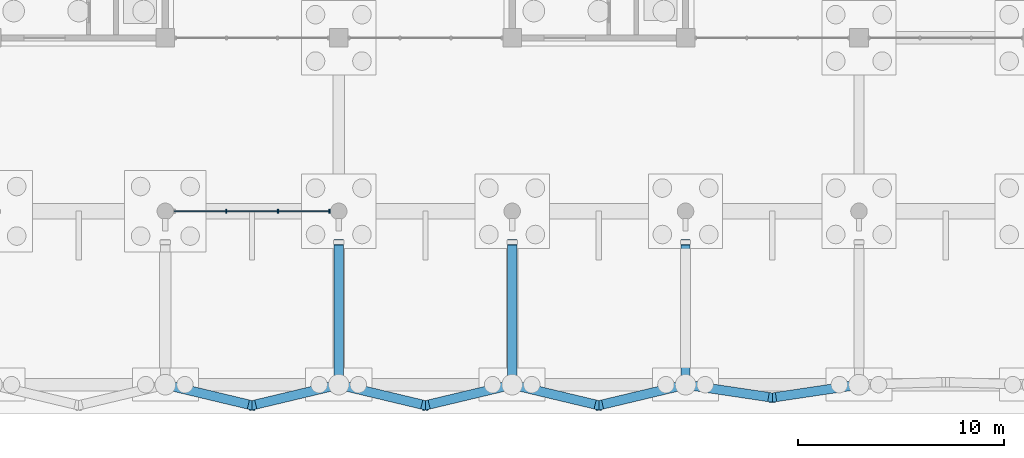
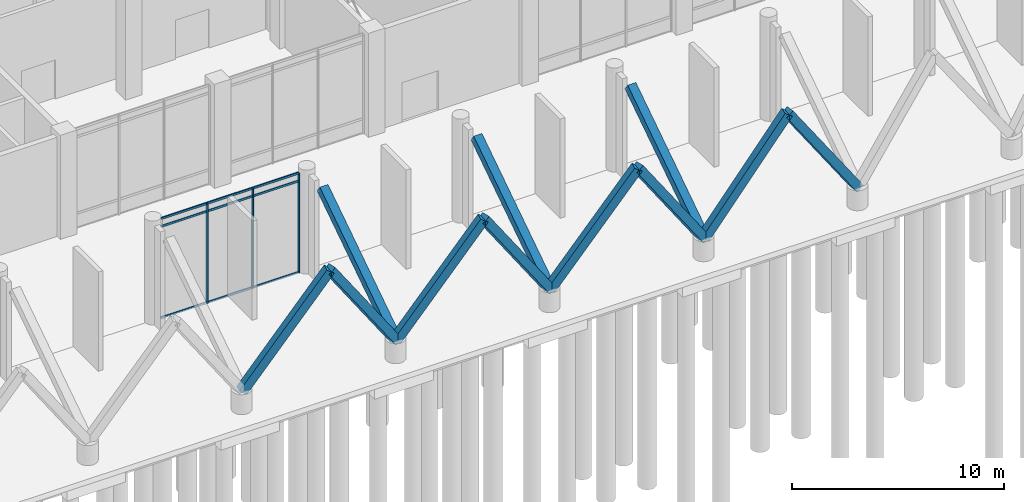
# One storey, part 27 of 72: 23 members, 1 element without a shape of its own.
"""IFC4 building model written with IfcOpenShell, lengths in metres."""

from ifc_helpers import new_model, si_unit, direction, frame, origin, origin_2d, place, context, subcontext, project, spatial, rectangle, extrude, material, layer, layer_set, material_profile, profile_set, type_object, element, aggregate, save


model = new_model("IFC4")

# Units and contexts
model_context = context("Model", 3, precision=1e-05, world=origin(), true_north=direction((0.0, 1.0)))
body_context = subcontext(model_context, "Body", "Model", "MODEL_VIEW")
ifc_project = project(units=[si_unit("LENGTHUNIT", "METRE"), si_unit("AREAUNIT", "SQUARE_METRE"), si_unit("VOLUMEUNIT", "CUBIC_METRE"), si_unit("PLANEANGLEUNIT", "RADIAN"), si_unit("MASSUNIT", "GRAM", prefix="KILO")], contexts=[model_context])

# Site, building, storey
site_placement = place(None, origin())
site = spatial("IfcSite", under=ifc_project, at=site_placement, CompositionType="ELEMENT")
building_placement = place(site_placement, origin())
building = spatial("IfcBuilding", under=site, at=building_placement, Name="Qawsi Khor Wholesale Market", CompositionType="ELEMENT")
storey_placement = place(building_placement, origin())
storey = spatial("IfcBuildingStorey", under=building, at=storey_placement, Name="L00", CompositionType="ELEMENT", Elevation=0.0)

# Curtain wall, members
ifc_material_1 = material(Name="Aluminium Anodised Bronze", Category="aluminium")
ifc_layer = layer(ifc_material_1, 0.159912109375, Name="Aluminium Anodised Bronze")
ifc_layer_set = layer_set([ifc_layer], Name="Aluminium Anodised Bronze")
curtain_wall_type = type_object("IfcCurtainWallType", Name="Boulevard Arcade Glazed Curtain Wall CW-01", PredefinedType="NOTDEFINED", material=ifc_layer_set)
curtain_wall_placement = place(storey_placement, origin())
curtain_wall = element("IfcCurtainWall", 1, at=curtain_wall_placement, inside=storey, type_object=curtain_wall_type, Name="Curtain wall CW-CW-01-L00-162", PredefinedType="NOTDEFINED")
ifc_material_profile_1 = material_profile(ifc_material_1, rectangle(XDim=0.06494140625, YDim=0.179931640625, at=origin_2d()), Name="ALU MULLION 65x180")
ifc_profile_set_1 = profile_set([ifc_material_profile_1], Name="Aluminium Anodised Bronze")
member_type_1 = type_object("IfcMemberType", Name="Curtain Wall Mullion CW-01 ALU MULLION 65x180", PredefinedType="MULLION", material=ifc_profile_set_1)
member_1_placement = place(storey_placement, frame((128.947509765625, 0.0, -0.02001953125), z_axis=(0.0, 0.0, 1.0), x_axis=(1.0, 0.0, 0.0)))
member_1 = element("IfcMember", 2, at=member_1_placement, type_object=member_type_1, Name="Mullion CW-CW-01-L00-162-M01", PredefinedType="MULLION", context=body_context, shape_type="SweptSolid", body=[
    extrude(rectangle(XDim=0.06494140625, YDim=0.179931640625, at=origin_2d()), origin(), (0.0, 0.0, 1.0), 5.739990234375),
])
member_2_placement = place(storey_placement, frame((131.452392578125, 0.0, -0.02001953125), z_axis=(0.0, 0.0, 1.0), x_axis=(1.0, 0.0, 0.0)))
member_2 = element("IfcMember", 3, at=member_2_placement, type_object=member_type_1, Name="Mullion CW-CW-01-L00-162-M02", PredefinedType="MULLION", context=body_context, shape_type="SweptSolid", body=[
    extrude(rectangle(XDim=0.06494140625, YDim=0.179931640625, at=origin_2d()), origin(), (0.0, 0.0, 1.0), 5.739990234375),
])
member_3_placement = place(storey_placement, frame((133.95751953125, 0.0, -0.02001953125), z_axis=(0.0, 0.0, 1.0), x_axis=(1.0, 0.0, 0.0)))
member_3 = element("IfcMember", 4, at=member_3_placement, type_object=member_type_1, Name="Mullion CW-CW-01-L00-162-M03", PredefinedType="MULLION", context=body_context, shape_type="SweptSolid", body=[
    extrude(rectangle(XDim=0.06494140625, YDim=0.179931640625, at=origin_2d()), origin(), (0.0, 0.0, 1.0), 5.739990234375),
])
ifc_material_profile_2 = material_profile(ifc_material_1, rectangle(XDim=0.06005859375, YDim=0.1201171875, at=origin_2d()), Name="ALU TRANSOM 60x120")
ifc_profile_set_2 = profile_set([ifc_material_profile_2], Name="Aluminium Anodised Bronze")
member_type_2 = type_object("IfcMemberType", Name="Curtain Wall Transom CW-01 ALU TRANSOM 60x120", PredefinedType="USERDEFINED", material=ifc_profile_set_2)
member_4_placement = place(storey_placement, frame((126.4423828125, 0.0, 0.0), z_axis=(1.0, 0.0, 0.0), x_axis=(0.0, 1.0, 0.0)))
member_4 = element("IfcMember", 5, at=member_4_placement, type_object=member_type_2, Name="Transom CW-CW-01-L00-162-T0_00", ObjectType="TRANSOM", PredefinedType="USERDEFINED", context=body_context, shape_type="SweptSolid", body=[
    extrude(rectangle(XDim=0.06005859375, YDim=0.1201171875, at=origin_2d()), origin(), (0.0, 0.0, 1.0), 2.505126953125),
])
member_5_placement = place(storey_placement, frame((128.947509765625, 0.0, 0.0), z_axis=(1.0, 0.0, 0.0), x_axis=(0.0, 1.0, 0.0)))
member_5 = element("IfcMember", 6, at=member_5_placement, type_object=member_type_2, Name="Transom CW-CW-01-L00-162-T0_01", ObjectType="TRANSOM", PredefinedType="USERDEFINED", context=body_context, shape_type="SweptSolid", body=[
    extrude(rectangle(XDim=0.06005859375, YDim=0.1201171875, at=origin_2d()), origin(), (0.0, 0.0, 1.0), 2.5048828125),
])
member_6_placement = place(storey_placement, frame((131.452392578125, 0.0, 0.0), z_axis=(1.0, 0.0, 0.0), x_axis=(0.0, 1.0, 0.0)))
member_6 = element("IfcMember", 7, at=member_6_placement, type_object=member_type_2, Name="Transom CW-CW-01-L00-162-T0_02", ObjectType="TRANSOM", PredefinedType="USERDEFINED", context=body_context, shape_type="SweptSolid", body=[
    extrude(rectangle(XDim=0.06005859375, YDim=0.1201171875, at=origin_2d()), origin(), (0.0, 0.0, 1.0), 2.505126953125),
])
member_7_placement = place(storey_placement, frame((126.4423828125, 0.0, 5.27001953125), z_axis=(1.0, 0.0, 0.0), x_axis=(0.0, 1.0, 0.0)))
member_7 = element("IfcMember", 8, at=member_7_placement, type_object=member_type_2, Name="Transom CW-CW-01-L00-162-T1_00", ObjectType="TRANSOM", PredefinedType="USERDEFINED", context=body_context, shape_type="SweptSolid", body=[
    extrude(rectangle(XDim=0.06005859375, YDim=0.1201171875, at=origin_2d()), origin(), (0.0, 0.0, 1.0), 2.505126953125),
])
member_8_placement = place(storey_placement, frame((128.947509765625, 0.0, 5.27001953125), z_axis=(1.0, 0.0, 0.0), x_axis=(0.0, 1.0, 0.0)))
member_8 = element("IfcMember", 9, at=member_8_placement, type_object=member_type_2, Name="Transom CW-CW-01-L00-162-T1_01", ObjectType="TRANSOM", PredefinedType="USERDEFINED", context=body_context, shape_type="SweptSolid", body=[
    extrude(rectangle(XDim=0.06005859375, YDim=0.1201171875, at=origin_2d()), origin(), (0.0, 0.0, 1.0), 2.5048828125),
])
member_9_placement = place(storey_placement, frame((131.452392578125, 0.0, 5.27001953125), z_axis=(1.0, 0.0, 0.0), x_axis=(0.0, 1.0, 0.0)))
member_9 = element("IfcMember", 10, at=member_9_placement, type_object=member_type_2, Name="Transom CW-CW-01-L00-162-T1_02", ObjectType="TRANSOM", PredefinedType="USERDEFINED", context=body_context, shape_type="SweptSolid", body=[
    extrude(rectangle(XDim=0.06005859375, YDim=0.1201171875, at=origin_2d()), origin(), (0.0, 0.0, 1.0), 2.505126953125),
])
member_10_placement = place(storey_placement, frame((126.4423828125, 0.0, 5.719970703125), z_axis=(1.0, 0.0, 0.0), x_axis=(0.0, 1.0, 0.0)))
member_10 = element("IfcMember", 11, at=member_10_placement, type_object=member_type_2, Name="Transom CW-CW-01-L00-162-T2_00", ObjectType="TRANSOM", PredefinedType="USERDEFINED", context=body_context, shape_type="SweptSolid", body=[
    extrude(rectangle(XDim=0.06005859375, YDim=0.1201171875, at=origin_2d()), origin(), (0.0, 0.0, 1.0), 2.505126953125),
])
member_11_placement = place(storey_placement, frame((128.947509765625, 0.0, 5.719970703125), z_axis=(1.0, 0.0, 0.0), x_axis=(0.0, 1.0, 0.0)))
member_11 = element("IfcMember", 12, at=member_11_placement, type_object=member_type_2, Name="Transom CW-CW-01-L00-162-T2_01", ObjectType="TRANSOM", PredefinedType="USERDEFINED", context=body_context, shape_type="SweptSolid", body=[
    extrude(rectangle(XDim=0.06005859375, YDim=0.1201171875, at=origin_2d()), origin(), (0.0, 0.0, 1.0), 2.5048828125),
])
member_12_placement = place(storey_placement, frame((131.452392578125, 0.0, 5.719970703125), z_axis=(1.0, 0.0, 0.0), x_axis=(0.0, 1.0, 0.0)))
member_12 = element("IfcMember", 13, at=member_12_placement, type_object=member_type_2, Name="Transom CW-CW-01-L00-162-T2_02", ObjectType="TRANSOM", PredefinedType="USERDEFINED", context=body_context, shape_type="SweptSolid", body=[
    extrude(rectangle(XDim=0.06005859375, YDim=0.1201171875, at=origin_2d()), origin(), (0.0, 0.0, 1.0), 2.505126953125),
])
aggregate(curtain_wall, [member_1, member_2, member_3, member_4, member_5, member_6, member_7, member_8, member_9, member_10, member_11, member_12])

# Members
ifc_material_2 = material(Name="Concrete C40/50", Category="concrete")
ifc_material_profile_3 = material_profile(ifc_material_2, rectangle(XDim=0.449951171875, YDim=0.449951171875, at=origin_2d()), Name="RC 450x450")
ifc_profile_set_3 = profile_set([ifc_material_profile_3], Name="Concrete C40/50")
member_type_3 = type_object("IfcMemberType", Name="Sculpted Concrete V-Strut RC 450x450", PredefinedType="STRUT", material=ifc_profile_set_3)
for number, where, z_axis, x_axis, name in (
    (14, (126.0, -8.39990234375, 1.050048828125), (0.560167526357, -0.133374771142, 0.817571717245), (0.231623075633, 0.972805607937, 0.0), "Boulevard Raked Concrete V-Pier 15L"),
    (15, (134.39990234375, -8.39990234375, 1.050048828125), (-0.560167526357, -0.133374771142, 0.817571717245), (0.231623075633, -0.972805607937, 0.0), "Boulevard Raked Concrete V-Pier 15R"),
):
    element("IfcMember", number, at=place(storey_placement, frame(where, z_axis=z_axis, x_axis=x_axis)), inside=storey, type_object=member_type_3, Name=name, PredefinedType="STRUT", context=body_context, shape_type="SweptSolid", body=[
        extrude(rectangle(XDim=0.449951171875, YDim=0.449951171875, at=origin_2d()), origin(), (0.0, 0.0, 1.0), 7.49755859375),
    ])
member_13_placement = place(storey_placement, frame((134.39990234375, -8.39990234375, 1.050048828125), z_axis=(0.560189870329, -0.133372338344, 0.817556804476), x_axis=(0.231610334544, 0.972808641477, 0.0)))
element("IfcMember", 16, at=member_13_placement, inside=storey, type_object=member_type_3, Name="Boulevard Raked Concrete V-Pier 16L", PredefinedType="STRUT", context=body_context, shape_type="SweptSolid", body=[
    extrude(rectangle(XDim=0.449951171875, YDim=0.449951171875, at=origin_2d()), origin(), (0.0, 0.0, 1.0), 7.497802734375),
])
member_14_placement = place(storey_placement, frame((142.800048828125, -8.39990234375, 1.050048828125), z_axis=(-0.560167526357, -0.133374771142, 0.817571717245), x_axis=(0.231623075633, -0.972805607937, 0.0)))
element("IfcMember", 17, at=member_14_placement, inside=storey, type_object=member_type_3, Name="Boulevard Raked Concrete V-Pier 16R", PredefinedType="STRUT", context=body_context, shape_type="SweptSolid", body=[
    extrude(rectangle(XDim=0.449951171875, YDim=0.449951171875, at=origin_2d()), origin(), (0.0, 0.0, 1.0), 7.49755859375),
])
member_15_placement = place(storey_placement, frame((134.39990234375, -8.39990234375, 1.050048828125), z_axis=(0.0, 0.833712125107, 0.552199323115), x_axis=(-1.0, 0.0, 0.0)))
element("IfcMember", 18, at=member_15_placement, inside=storey, type_object=member_type_3, Name="Boulevard Raked Concrete Back-Strut 16", PredefinedType="STRUT", context=body_context, shape_type="SweptSolid", body=[
    extrude(rectangle(XDim=0.449951171875, YDim=0.449951171875, at=origin_2d()), origin(), (0.0, 0.0, 1.0), 8.276123046875),
])
for number, where, z_axis, x_axis, name in (
    (19, (142.800048828125, -8.39990234375, 1.050048828125), (0.560167526357, -0.133374771142, 0.817571717245), (0.231623075633, 0.972805607937, 0.0), "Boulevard Raked Concrete V-Pier 17L"),
    (20, (151.199951171875, -8.39990234375, 1.050048828125), (-0.560167526357, -0.133374771142, 0.817571717245), (0.231623075633, -0.972805607937, 0.0), "Boulevard Raked Concrete V-Pier 17R"),
):
    element("IfcMember", number, at=place(storey_placement, frame(where, z_axis=z_axis, x_axis=x_axis)), inside=storey, type_object=member_type_3, Name=name, PredefinedType="STRUT", context=body_context, shape_type="SweptSolid", body=[
        extrude(rectangle(XDim=0.449951171875, YDim=0.449951171875, at=origin_2d()), origin(), (0.0, 0.0, 1.0), 7.49755859375),
    ])
member_16_placement = place(storey_placement, frame((142.800048828125, -8.39990234375, 1.050048828125), z_axis=(0.0, 0.833712125107, 0.552199323115), x_axis=(-1.0, 0.0, 0.0)))
element("IfcMember", 21, at=member_16_placement, inside=storey, type_object=member_type_3, Name="Boulevard Raked Concrete Back-Strut 17", PredefinedType="STRUT", context=body_context, shape_type="SweptSolid", body=[
    extrude(rectangle(XDim=0.449951171875, YDim=0.449951171875, at=origin_2d()), origin(), (0.0, 0.0, 1.0), 8.276123046875),
])
for number, where, z_axis, x_axis, name in (
    (22, (151.199951171875, -8.39990234375, 1.050048828125), (0.563228562384, -0.083814748573, 0.82203933874), (0.147190427432, 0.989108173089, 0.0), "Boulevard Raked Concrete V-Pier 18L"),
    (23, (159.60009765625, -8.39990234375, 1.050048828125), (-0.563250915866, -0.083813203012, 0.822024180166), (0.14718205718, -0.989109418641, 0.0), "Boulevard Raked Concrete V-Pier 18R"),
):
    element("IfcMember", number, at=place(storey_placement, frame(where, z_axis=z_axis, x_axis=x_axis)), inside=storey, type_object=member_type_3, Name=name, PredefinedType="STRUT", context=body_context, shape_type="SweptSolid", body=[
        extrude(rectangle(XDim=0.449951171875, YDim=0.449951171875, at=origin_2d()), origin(), (0.0, 0.0, 1.0), 7.45703125),
    ])
member_17_placement = place(storey_placement, frame((151.199951171875, -8.39990234375, 1.050048828125), z_axis=(0.0, 0.833712125107, 0.552199323115), x_axis=(-1.0, 0.0, 0.0)))
element("IfcMember", 24, at=member_17_placement, inside=storey, type_object=member_type_3, Name="Boulevard Raked Concrete Back-Strut 18", PredefinedType="STRUT", context=body_context, shape_type="SweptSolid", body=[
    extrude(rectangle(XDim=0.449951171875, YDim=0.449951171875, at=origin_2d()), origin(), (0.0, 0.0, 1.0), 8.276123046875),
])

save(model, "model.ifc")
